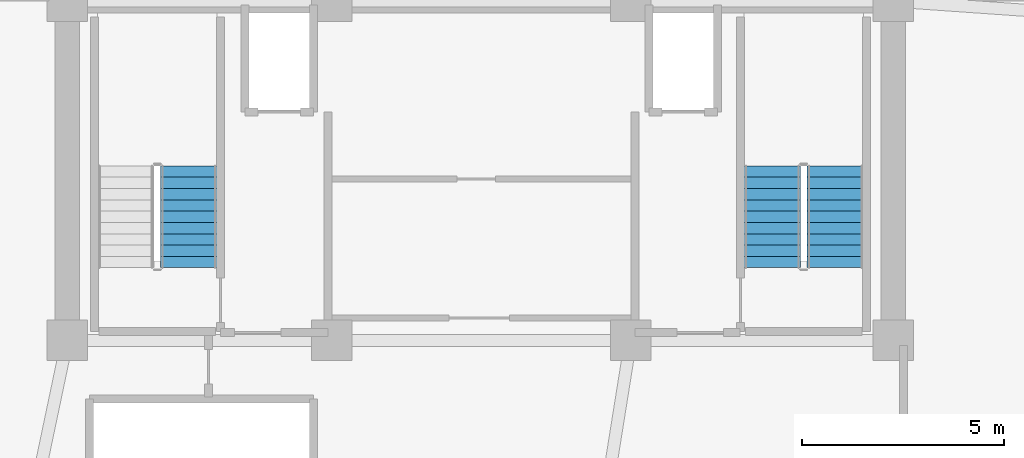
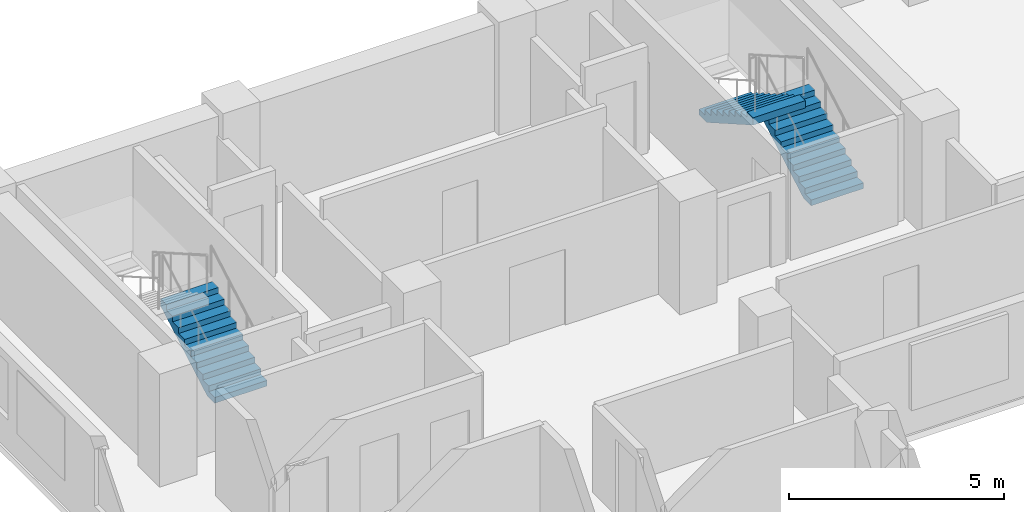
# One storey, part 5 of 7: 3 stair flights, 2 elements without a shape of their own.
"""IFC4 building model written with IfcOpenShell, lengths in metres."""

from ifc_helpers import new_model, si_unit, direction, frame, origin, place, context, subcontext, project, spatial, polyline, outline, extrude, material, type_object, element, aggregate, save


model = new_model("IFC4")

# Units and contexts
model_context = context("Model", 3, precision=1e-05, world=origin(), true_north=direction((0.0, 1.0)))
body_context = subcontext(model_context, "Body", "Model", "MODEL_VIEW")
ifc_project = project(units=[si_unit("LENGTHUNIT", "METRE"), si_unit("AREAUNIT", "SQUARE_METRE"), si_unit("VOLUMEUNIT", "CUBIC_METRE"), si_unit("PLANEANGLEUNIT", "RADIAN"), si_unit("MASSUNIT", "GRAM", prefix="KILO")], contexts=[model_context])

# Site, building, storey
site_placement = place(None, origin())
site = spatial("IfcSite", under=ifc_project, at=site_placement, CompositionType="ELEMENT")
building_placement = place(site_placement, origin())
building = spatial("IfcBuilding", under=site, at=building_placement, Name="Kuzgunbayir Cultural Tower", CompositionType="ELEMENT")
storey_placement = place(building_placement, frame((0.0, 0.0, 176.0)))
storey = spatial("IfcBuildingStorey", under=building, at=storey_placement, Name="L51", CompositionType="ELEMENT", Elevation=176.0)

# Stair, stair flight
ifc_material = material(Name="Concrete C40/50", Category="concrete")
stair_type = type_object("IfcStairType", Name="STR-EXIT-CORE", PredefinedType="HALF_TURN_STAIR", material=ifc_material)
stair_1_placement = place(storey_placement, origin())
stair_1 = element("IfcStair", 1, at=stair_1_placement, inside=storey, type_object=stair_type, Name="L51 ST-1", PredefinedType="HALF_TURN_STAIR")
stair_flight_type = type_object("IfcStairFlightType", Name="STRF-RC-140", PredefinedType="STRAIGHT", material=ifc_material)
stair_flight_1_placement = place(storey_placement, frame((9.4599609375, 35.60009765625, 0.0), z_axis=(0.0, 0.0, 1.0), x_axis=(0.0, 1.0, 0.0)))
stair_flight_1 = element("IfcStairFlight", 2, at=stair_flight_1_placement, type_object=stair_flight_type, Name="ST-1 flight 1", NumberOfRisers=10, NumberOfTreads=9, PredefinedType="STRAIGHT", RiserHeight=0.16, TreadLength=0.28, context=body_context, shape_type="SweptSolid", body=[
    extrude(outline(polyline([(0.0, 0.0), (0.0, 0.159912109375), (0.280029296875, 0.159912109375), (0.280029296875, 0.320068359375), (0.56005859375, 0.320068359375), (0.56005859375, 0.47998046875), (0.840087890625, 0.47998046875), (0.840087890625, 0.639892578125), (1.1201171875, 0.639892578125), (1.1201171875, 0.800048828125), (1.39990234375, 0.800048828125), (1.39990234375, 0.9599609375), (1.679931640625, 0.9599609375), (1.679931640625, 1.1201171875), (1.9599609375, 1.1201171875), (1.9599609375, 1.280029296875), (2.239990234375, 1.280029296875), (2.239990234375, 1.43994140625), (2.52001953125, 1.43994140625), (2.52001953125, 1.60009765625), (2.52001953125, 1.232666015625), (0.362548828125, 0.0), (0.0, 0.0)])), frame((0.0, 0.699951171875, 0.0), z_axis=(0.0, -1.0, 0.0), x_axis=(1.0, 0.0, 0.0)), (0.0, 0.0, 1.0), 1.39990234375),
])
aggregate(stair_1, [stair_flight_1])

# Stair, stair flights
stair_2_placement = place(storey_placement, origin())
stair_2 = element("IfcStair", 3, at=stair_2_placement, inside=storey, type_object=stair_type, Name="L51 ST-2", PredefinedType="HALF_TURN_STAIR")
stair_flight_2_placement = place(storey_placement, frame((25.4599609375, 35.60009765625, 0.0), z_axis=(0.0, 0.0, 1.0), x_axis=(0.0, 1.0, 0.0)))
stair_flight_2 = element("IfcStairFlight", 4, at=stair_flight_2_placement, type_object=stair_flight_type, Name="ST-2 flight 1", NumberOfRisers=10, NumberOfTreads=9, PredefinedType="STRAIGHT", RiserHeight=0.16, TreadLength=0.28, context=body_context, shape_type="SweptSolid", body=[
    extrude(outline(polyline([(0.0, 0.0), (0.0, 0.159912109375), (0.280029296875, 0.159912109375), (0.280029296875, 0.320068359375), (0.56005859375, 0.320068359375), (0.56005859375, 0.47998046875), (0.840087890625, 0.47998046875), (0.840087890625, 0.639892578125), (1.1201171875, 0.639892578125), (1.1201171875, 0.800048828125), (1.39990234375, 0.800048828125), (1.39990234375, 0.9599609375), (1.679931640625, 0.9599609375), (1.679931640625, 1.1201171875), (1.9599609375, 1.1201171875), (1.9599609375, 1.280029296875), (2.239990234375, 1.280029296875), (2.239990234375, 1.43994140625), (2.52001953125, 1.43994140625), (2.52001953125, 1.60009765625), (2.52001953125, 1.232666015625), (0.362548828125, 0.0), (0.0, 0.0)])), frame((0.0, 0.699951171875, 0.0), z_axis=(0.0, -1.0, 0.0), x_axis=(1.0, 0.0, 0.0)), (0.0, 0.0, 1.0), 1.39990234375),
])
stair_flight_3_placement = place(storey_placement, frame((23.89990234375, 38.1201171875, 1.60009765625), z_axis=(0.0, 0.0, 1.0), x_axis=(0.0, -1.0, 0.0)))
stair_flight_3 = element("IfcStairFlight", 5, at=stair_flight_3_placement, type_object=stair_flight_type, Name="ST-2 flight 2", NumberOfRisers=10, NumberOfTreads=9, PredefinedType="STRAIGHT", RiserHeight=0.16, TreadLength=0.28, context=body_context, shape_type="SweptSolid", body=[
    extrude(outline(polyline([(0.0, 0.0), (0.0, 0.159912109375), (0.280029296875, 0.159912109375), (0.280029296875, 0.320068359375), (0.56005859375, 0.320068359375), (0.56005859375, 0.47998046875), (0.840087890625, 0.47998046875), (0.840087890625, 0.639892578125), (1.1201171875, 0.639892578125), (1.1201171875, 0.800048828125), (1.39990234375, 0.800048828125), (1.39990234375, 0.9599609375), (1.679931640625, 0.9599609375), (1.679931640625, 1.1201171875), (1.9599609375, 1.1201171875), (1.9599609375, 1.280029296875), (2.239990234375, 1.280029296875), (2.239990234375, 1.43994140625), (2.52001953125, 1.43994140625), (2.52001953125, 1.60009765625), (2.52001953125, 1.232666015625), (0.362548828125, 0.0), (0.0, 0.0)])), frame((0.0, 0.699951171875, 0.0), z_axis=(0.0, -1.0, 0.0), x_axis=(1.0, 0.0, 0.0)), (0.0, 0.0, 1.0), 1.39990234375),
])
aggregate(stair_2, [stair_flight_2, stair_flight_3])

save(model, "model.ifc")
